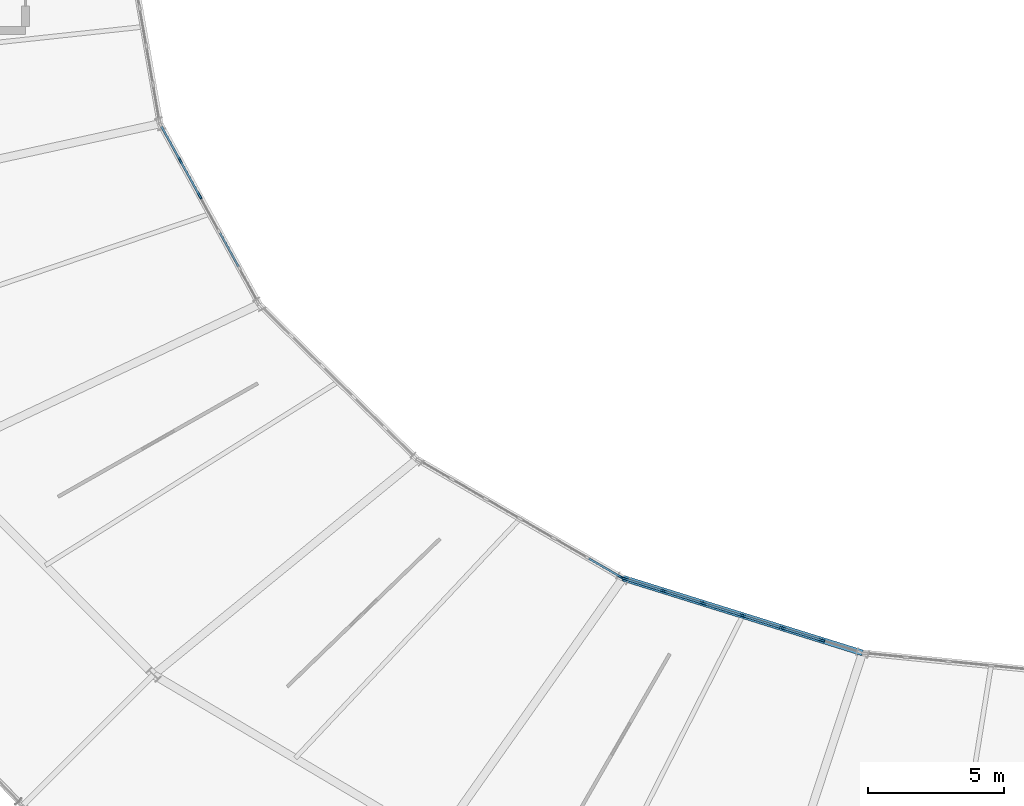
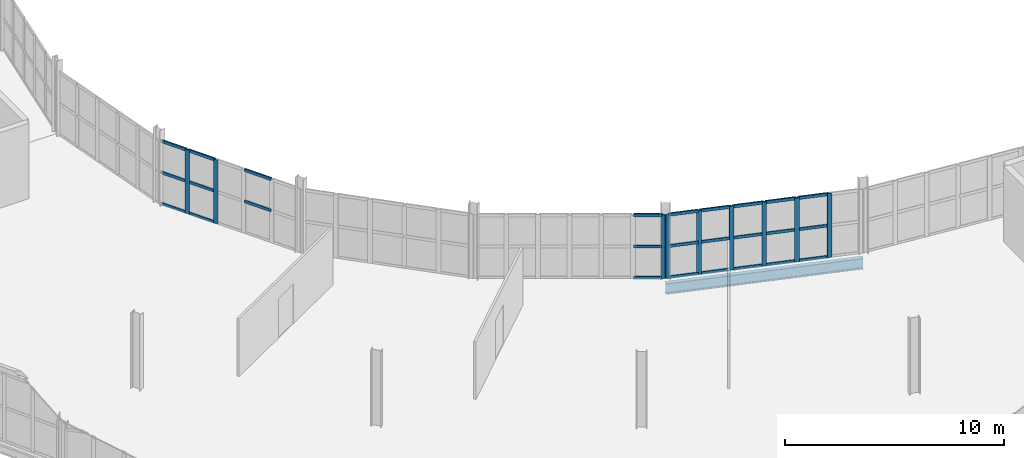
# One storey, part 62 of 161: 35 members, 1 beam, 3 elements without a shape of their own.
"""IFC4 building model written with IfcOpenShell, lengths in metres."""

from ifc_helpers import new_model, si_unit, direction, frame, origin, origin_2d, place, context, subcontext, project, spatial, rectangle, i_section, extrude, material, material_profile, profile_set, type_object, element, aggregate, save


model = new_model("IFC4")

# Units and contexts
model_context = context("Model", 3, precision=1e-05, world=origin(), true_north=direction((0.0, 1.0)))
body_context = subcontext(model_context, "Body", "Model", "MODEL_VIEW")
ifc_project = project(units=[si_unit("LENGTHUNIT", "METRE"), si_unit("AREAUNIT", "SQUARE_METRE"), si_unit("VOLUMEUNIT", "CUBIC_METRE"), si_unit("PLANEANGLEUNIT", "RADIAN"), si_unit("MASSUNIT", "GRAM", prefix="KILO")], contexts=[model_context])

# Site, building, storey
site_placement = place(None, origin())
site = spatial("IfcSite", under=ifc_project, at=site_placement, CompositionType="ELEMENT")
building_placement = place(site_placement, origin())
building = spatial("IfcBuilding", under=site, at=building_placement, Name="Kildeholm Park Wholesale Market", CompositionType="ELEMENT")
storey_placement = place(building_placement, frame((0.0, 0.0, 5.39990234375)))
storey = spatial("IfcBuildingStorey", under=building, at=storey_placement, Name="L01", CompositionType="ELEMENT", Elevation=5.39990234375)

# Beam
ifc_material_1 = material(Name="Steel S355", Category="steel")
ifc_material_profile_1 = material_profile(ifc_material_1, i_section(OverallWidth=0.219970703125, OverallDepth=0.60009765625, WebThickness=0.011962890625, FlangeThickness=0.01904296875, FilletRadius=0.02392578125, at=origin_2d()), Name="IPE 600")
ifc_profile_set_1 = profile_set([ifc_material_profile_1], Name="Steel S355")
beam_type = type_object("IfcBeamType", Name="Beam B-P04 IPE 600", PredefinedType="BEAM", material=ifc_profile_set_1)
beam_placement = place(storey_placement, frame((80.75, 65.68408203125, -0.5498046875), z_axis=(0.9545990852, -0.297893582568, 0.0), x_axis=(0.297893582568, 0.9545990852, 0.0)))
element("IfcBeam", 1, at=beam_placement, inside=storey, type_object=beam_type, Name="Beam BM-V1-L01-CI-16 BM-0148", PredefinedType="BEAM", context=body_context, shape_type="SweptSolid", body=[
    extrude(i_section(OverallWidth=0.219970703125, OverallDepth=0.60009765625, WebThickness=0.011962890625, FlangeThickness=0.01904296875, FilletRadius=0.02392578125, at=origin_2d()), origin(), (0.0, 0.0, 1.0), 9.2216796875),
])

# Curtain wall, members
ifc_material_2 = material(Name="Anodised aluminium and low-E double-glazed glass", Category="aluminium")
curtain_wall_type = type_object("IfcCurtainWallType", Name="Market hall glazed arcade stick curtain wall CW-01", PredefinedType="NOTDEFINED", material=ifc_material_2)
curtain_wall_1_placement = place(storey_placement, origin())
curtain_wall_1 = element("IfcCurtainWall", 2, at=curtain_wall_1_placement, inside=storey, type_object=curtain_wall_type, Name="Curtain wall CW-V1-IN1-13 CW-0067", PredefinedType="NOTDEFINED")
ifc_material_3 = material(Name="Anodised aluminium", Category="aluminium")
ifc_material_profile_2 = material_profile(ifc_material_3, rectangle(XDim=0.074951171875, YDim=0.219970703125, at=origin_2d()), Name="CWM 75x220")
ifc_profile_set_2 = profile_set([ifc_material_profile_2], Name="Anodised aluminium")
member_type_1 = type_object("IfcMemberType", Name="Curtain-wall mullion CWM-2 CWM 75x220", PredefinedType="MULLION", material=ifc_profile_set_2)
member_1_placement = place(storey_placement, frame((64.478515625, 81.033447265625, 0.0), z_axis=(0.0, 0.0, 1.0), x_axis=(0.876308922506, 0.481749595055, 0.0)))
member_1 = element("IfcMember", 3, at=member_1_placement, type_object=member_type_1, Name="CW-01 mullion 2 MEM-2205", PredefinedType="MULLION", context=body_context, shape_type="SweptSolid", body=[
    extrude(rectangle(XDim=0.074951171875, YDim=0.219970703125, at=origin_2d()), origin(), (0.0, 0.0, 1.0), 3.550048828125),
])
member_2_placement = place(storey_placement, frame((65.2001953125, 79.720703125, 0.0), z_axis=(0.0, 0.0, 1.0), x_axis=(0.876308922506, 0.481749595055, 0.0)))
member_2 = element("IfcMember", 4, at=member_2_placement, type_object=member_type_1, Name="CW-01 mullion 3 MEM-2206", PredefinedType="MULLION", context=body_context, shape_type="SweptSolid", body=[
    extrude(rectangle(XDim=0.074951171875, YDim=0.219970703125, at=origin_2d()), origin(), (0.0, 0.0, 1.0), 3.550048828125),
])

# Curtain wall, member
curtain_wall_2_placement = place(storey_placement, origin())
curtain_wall_2 = element("IfcCurtainWall", 5, at=curtain_wall_2_placement, inside=storey, type_object=curtain_wall_type, Name="Curtain wall CW-V1-IN1-15 CW-0077", PredefinedType="NOTDEFINED")
member_3_placement = place(storey_placement, frame((80.679443359375, 65.7197265625, 0.0), z_axis=(0.0, 0.0, 1.0), x_axis=(0.500489412982, 0.865742656621, 0.0)))
member_3 = element("IfcMember", 6, at=member_3_placement, type_object=member_type_1, Name="CW-01 mullion 7 MEM-2476", PredefinedType="MULLION", context=body_context, shape_type="SweptSolid", body=[
    extrude(rectangle(XDim=0.074951171875, YDim=0.219970703125, at=origin_2d()), origin(), (0.0, 0.0, 1.0), 3.550048828125),
])

# Curtain wall, members
curtain_wall_3_placement = place(storey_placement, origin())
curtain_wall_3 = element("IfcCurtainWall", 7, at=curtain_wall_3_placement, inside=storey, type_object=curtain_wall_type, Name="Curtain wall CW-V1-IN1-16 CW-0082", PredefinedType="NOTDEFINED")
member_4_placement = place(storey_placement, frame((80.82177734375, 65.65771484375, 0.0), z_axis=(0.0, 0.0, 1.0), x_axis=(0.297957339818, 0.954579186683, 0.0)))
member_4 = element("IfcMember", 8, at=member_4_placement, type_object=member_type_1, Name="CW-01 mullion 1 MEM-2619", PredefinedType="MULLION", context=body_context, shape_type="SweptSolid", body=[
    extrude(rectangle(XDim=0.074951171875, YDim=0.219970703125, at=origin_2d()), origin(), (0.0, 0.0, 1.0), 3.550048828125),
])
member_5_placement = place(storey_placement, frame((82.240478515625, 65.215087890625, 0.0), z_axis=(0.0, 0.0, 1.0), x_axis=(0.297957339818, 0.954579186683, 0.0)))
member_5 = element("IfcMember", 9, at=member_5_placement, type_object=member_type_1, Name="CW-01 mullion 2 MEM-2620", PredefinedType="MULLION", context=body_context, shape_type="SweptSolid", body=[
    extrude(rectangle(XDim=0.074951171875, YDim=0.219970703125, at=origin_2d()), origin(), (0.0, 0.0, 1.0), 3.550048828125),
])
member_6_placement = place(storey_placement, frame((83.695068359375, 64.760986328125, 0.0), z_axis=(0.0, 0.0, 1.0), x_axis=(0.297957339818, 0.954579186683, 0.0)))
member_6 = element("IfcMember", 10, at=member_6_placement, type_object=member_type_1, Name="CW-01 mullion 3 MEM-2621", PredefinedType="MULLION", context=body_context, shape_type="SweptSolid", body=[
    extrude(rectangle(XDim=0.074951171875, YDim=0.219970703125, at=origin_2d()), origin(), (0.0, 0.0, 1.0), 3.550048828125),
])
member_7_placement = place(storey_placement, frame((85.1494140625, 64.306884765625, 0.0), z_axis=(0.0, 0.0, 1.0), x_axis=(0.297957339818, 0.954579186683, 0.0)))
member_7 = element("IfcMember", 11, at=member_7_placement, type_object=member_type_1, Name="CW-01 mullion 4 MEM-2622", PredefinedType="MULLION", context=body_context, shape_type="SweptSolid", body=[
    extrude(rectangle(XDim=0.074951171875, YDim=0.219970703125, at=origin_2d()), origin(), (0.0, 0.0, 1.0), 3.550048828125),
])
member_8_placement = place(storey_placement, frame((86.60400390625, 63.85302734375, 0.0), z_axis=(0.0, 0.0, 1.0), x_axis=(0.297957339818, 0.954579186683, 0.0)))
member_8 = element("IfcMember", 12, at=member_8_placement, type_object=member_type_1, Name="CW-01 mullion 5 MEM-2623", PredefinedType="MULLION", context=body_context, shape_type="SweptSolid", body=[
    extrude(rectangle(XDim=0.074951171875, YDim=0.219970703125, at=origin_2d()), origin(), (0.0, 0.0, 1.0), 3.550048828125),
])
member_9_placement = place(storey_placement, frame((88.05859375, 63.39892578125, 0.0), z_axis=(0.0, 0.0, 1.0), x_axis=(0.297957339818, 0.954579186683, 0.0)))
member_9 = element("IfcMember", 13, at=member_9_placement, type_object=member_type_1, Name="CW-01 mullion 6 MEM-2624", PredefinedType="MULLION", context=body_context, shape_type="SweptSolid", body=[
    extrude(rectangle(XDim=0.074951171875, YDim=0.219970703125, at=origin_2d()), origin(), (0.0, 0.0, 1.0), 3.550048828125),
])

# Member
ifc_material_profile_3 = material_profile(ifc_material_3, rectangle(XDim=0.074951171875, YDim=0.159912109375, at=origin_2d()), Name="CWT 75x160")
ifc_profile_set_3 = profile_set([ifc_material_profile_3], Name="Anodised aluminium")
member_type_2 = type_object("IfcMemberType", Name="Curtain-wall transom CWT-2 CWT 75x160", PredefinedType="USERDEFINED", material=ifc_profile_set_3)
member_10_placement = place(storey_placement, frame((63.793212890625, 82.2802734375, 0.03759765625), z_axis=(0.481627830616, -0.876375851319, 0.0), x_axis=(0.876375851319, 0.481627830616, 0.0)))
member_10 = element("IfcMember", 14, at=member_10_placement, type_object=member_type_2, Name="CW-01 transom 1.1 MEM-2210", ObjectType="TRANSOM", PredefinedType="USERDEFINED", context=body_context, shape_type="SweptSolid", body=[
    extrude(rectangle(XDim=0.074951171875, YDim=0.159912109375, at=origin_2d()), origin(), (0.0, 0.0, 1.0), 1.385498046875),
])

member_11_placement = place(storey_placement, frame((63.793212890625, 82.2802734375, 1.775146484375), z_axis=(0.481627830616, -0.876375851319, 0.0), x_axis=(0.876375851319, 0.481627830616, 0.0)))
member_11 = element("IfcMember", 15, at=member_11_placement, type_object=member_type_2, Name="CW-01 transom 1.2 MEM-2211", ObjectType="TRANSOM", PredefinedType="USERDEFINED", context=body_context, shape_type="SweptSolid", body=[
    extrude(rectangle(XDim=0.074951171875, YDim=0.159912109375, at=origin_2d()), origin(), (0.0, 0.0, 1.0), 1.385498046875),
])

member_12_placement = place(storey_placement, frame((63.793212890625, 82.2802734375, 3.5126953125), z_axis=(0.481627830616, -0.876375851319, 0.0), x_axis=(0.876375851319, 0.481627830616, 0.0)))
member_12 = element("IfcMember", 16, at=member_12_placement, type_object=member_type_2, Name="CW-01 transom 1.3 MEM-2212", ObjectType="TRANSOM", PredefinedType="USERDEFINED", context=body_context, shape_type="SweptSolid", body=[
    extrude(rectangle(XDim=0.074951171875, YDim=0.159912109375, at=origin_2d()), origin(), (0.0, 0.0, 1.0), 1.385498046875),
])

member_13_placement = place(storey_placement, frame((64.49658203125, 81.00048828125, 0.03759765625), z_axis=(0.481806771889, -0.876277487193, 0.0), x_axis=(0.876277487193, 0.481806771889, 0.0)))
member_13 = element("IfcMember", 17, at=member_13_placement, type_object=member_type_2, Name="CW-01 transom 2.1 MEM-2213", ObjectType="TRANSOM", PredefinedType="USERDEFINED", context=body_context, shape_type="SweptSolid", body=[
    extrude(rectangle(XDim=0.074951171875, YDim=0.159912109375, at=origin_2d()), origin(), (0.0, 0.0, 1.0), 1.4228515625),
])

member_14_placement = place(storey_placement, frame((64.49658203125, 81.00048828125, 1.775146484375), z_axis=(0.481806771889, -0.876277487193, 0.0), x_axis=(0.876277487193, 0.481806771889, 0.0)))
member_14 = element("IfcMember", 18, at=member_14_placement, type_object=member_type_2, Name="CW-01 transom 2.2 MEM-2214", ObjectType="TRANSOM", PredefinedType="USERDEFINED", context=body_context, shape_type="SweptSolid", body=[
    extrude(rectangle(XDim=0.074951171875, YDim=0.159912109375, at=origin_2d()), origin(), (0.0, 0.0, 1.0), 1.4228515625),
])

member_15_placement = place(storey_placement, frame((64.49658203125, 81.00048828125, 3.5126953125), z_axis=(0.481806771889, -0.876277487193, 0.0), x_axis=(0.876277487193, 0.481806771889, 0.0)))
member_15 = element("IfcMember", 19, at=member_15_placement, type_object=member_type_2, Name="CW-01 transom 2.3 MEM-2215", ObjectType="TRANSOM", PredefinedType="USERDEFINED", context=body_context, shape_type="SweptSolid", body=[
    extrude(rectangle(XDim=0.074951171875, YDim=0.159912109375, at=origin_2d()), origin(), (0.0, 0.0, 1.0), 1.4228515625),
])

member_16_placement = place(storey_placement, frame((65.93994140625, 78.375244140625, 1.775146484375), z_axis=(0.481675002978, -0.876349925262, 0.0), x_axis=(0.876349925262, 0.481675002978, 0.0)))
member_16 = element("IfcMember", 20, at=member_16_placement, type_object=member_type_2, Name="CW-01 transom 4.2 MEM-2220", ObjectType="TRANSOM", PredefinedType="USERDEFINED", context=body_context, shape_type="SweptSolid", body=[
    extrude(rectangle(XDim=0.074951171875, YDim=0.159912109375, at=origin_2d()), origin(), (0.0, 0.0, 1.0), 1.4228515625),
])

member_17_placement = place(storey_placement, frame((65.93994140625, 78.375244140625, 3.5126953125), z_axis=(0.481675002978, -0.876349925262, 0.0), x_axis=(0.876349925262, 0.481675002978, 0.0)))
member_17 = element("IfcMember", 21, at=member_17_placement, type_object=member_type_2, Name="CW-01 transom 4.3 MEM-2221", ObjectType="TRANSOM", PredefinedType="USERDEFINED", context=body_context, shape_type="SweptSolid", body=[
    extrude(rectangle(XDim=0.074951171875, YDim=0.159912109375, at=origin_2d()), origin(), (0.0, 0.0, 1.0), 1.4228515625),
])

aggregate(curtain_wall_1, [member_1, member_2, member_10, member_11, member_12, member_13, member_14, member_15, member_16, member_17])

member_18_placement = place(storey_placement, frame((79.49609375, 66.40380859375, 0.03759765625), z_axis=(0.865757211821, -0.500464234666, 0.0), x_axis=(0.500464234666, 0.865757211821, 0.0)))
member_18 = element("IfcMember", 22, at=member_18_placement, type_object=member_type_2, Name="CW-01 transom 6.1 MEM-2492", ObjectType="TRANSOM", PredefinedType="USERDEFINED", context=body_context, shape_type="SweptSolid", body=[
    extrude(rectangle(XDim=0.074951171875, YDim=0.159912109375, at=origin_2d()), origin(), (0.0, 0.0, 1.0), 1.329345703125),
])

member_19_placement = place(storey_placement, frame((79.49609375, 66.40380859375, 1.775146484375), z_axis=(0.865757211821, -0.500464234666, 0.0), x_axis=(0.500464234666, 0.865757211821, 0.0)))
member_19 = element("IfcMember", 23, at=member_19_placement, type_object=member_type_2, Name="CW-01 transom 6.2 MEM-2493", ObjectType="TRANSOM", PredefinedType="USERDEFINED", context=body_context, shape_type="SweptSolid", body=[
    extrude(rectangle(XDim=0.074951171875, YDim=0.159912109375, at=origin_2d()), origin(), (0.0, 0.0, 1.0), 1.329345703125),
])

member_20_placement = place(storey_placement, frame((79.49609375, 66.40380859375, 3.5126953125), z_axis=(0.865757211821, -0.500464234666, 0.0), x_axis=(0.500464234666, 0.865757211821, 0.0)))
member_20 = element("IfcMember", 24, at=member_20_placement, type_object=member_type_2, Name="CW-01 transom 6.3 MEM-2494", ObjectType="TRANSOM", PredefinedType="USERDEFINED", context=body_context, shape_type="SweptSolid", body=[
    extrude(rectangle(XDim=0.074951171875, YDim=0.159912109375, at=origin_2d()), origin(), (0.0, 0.0, 1.0), 1.329345703125),
])

aggregate(curtain_wall_2, [member_3, member_18, member_19, member_20])

member_21_placement = place(storey_placement, frame((80.857666015625, 65.646728515625, 0.03759765625), z_axis=(0.954532299309, -0.298107513451, 0.0), x_axis=(0.298107513451, 0.954532299309, 0.0)))
member_21 = element("IfcMember", 25, at=member_21_placement, type_object=member_type_2, Name="CW-01 transom 1.1 MEM-2626", ObjectType="TRANSOM", PredefinedType="USERDEFINED", context=body_context, shape_type="SweptSolid", body=[
    extrude(rectangle(XDim=0.074951171875, YDim=0.159912109375, at=origin_2d()), origin(), (0.0, 0.0, 1.0), 1.4111328125),
])

member_22_placement = place(storey_placement, frame((80.857666015625, 65.646728515625, 1.775146484375), z_axis=(0.954532299309, -0.298107513451, 0.0), x_axis=(0.298107513451, 0.954532299309, 0.0)))
member_22 = element("IfcMember", 26, at=member_22_placement, type_object=member_type_2, Name="CW-01 transom 1.2 MEM-2627", ObjectType="TRANSOM", PredefinedType="USERDEFINED", context=body_context, shape_type="SweptSolid", body=[
    extrude(rectangle(XDim=0.074951171875, YDim=0.159912109375, at=origin_2d()), origin(), (0.0, 0.0, 1.0), 1.4111328125),
])

member_23_placement = place(storey_placement, frame((80.857666015625, 65.646728515625, 3.5126953125), z_axis=(0.954532299309, -0.298107513451, 0.0), x_axis=(0.298107513451, 0.954532299309, 0.0)))
member_23 = element("IfcMember", 27, at=member_23_placement, type_object=member_type_2, Name="CW-01 transom 1.3 MEM-2628", ObjectType="TRANSOM", PredefinedType="USERDEFINED", context=body_context, shape_type="SweptSolid", body=[
    extrude(rectangle(XDim=0.074951171875, YDim=0.159912109375, at=origin_2d()), origin(), (0.0, 0.0, 1.0), 1.4111328125),
])

member_24_placement = place(storey_placement, frame((82.2763671875, 65.203857421875, 0.03759765625), z_axis=(0.954575890989, -0.297967898176, 0.0), x_axis=(0.297967898176, 0.954575890989, 0.0)))
member_24 = element("IfcMember", 28, at=member_24_placement, type_object=member_type_2, Name="CW-01 transom 2.1 MEM-2629", ObjectType="TRANSOM", PredefinedType="USERDEFINED", context=body_context, shape_type="SweptSolid", body=[
    extrude(rectangle(XDim=0.074951171875, YDim=0.159912109375, at=origin_2d()), origin(), (0.0, 0.0, 1.0), 1.44873046875),
])

member_25_placement = place(storey_placement, frame((82.2763671875, 65.203857421875, 1.775146484375), z_axis=(0.954575890989, -0.297967898176, 0.0), x_axis=(0.297967898176, 0.954575890989, 0.0)))
member_25 = element("IfcMember", 29, at=member_25_placement, type_object=member_type_2, Name="CW-01 transom 2.2 MEM-2630", ObjectType="TRANSOM", PredefinedType="USERDEFINED", context=body_context, shape_type="SweptSolid", body=[
    extrude(rectangle(XDim=0.074951171875, YDim=0.159912109375, at=origin_2d()), origin(), (0.0, 0.0, 1.0), 1.44873046875),
])

member_26_placement = place(storey_placement, frame((82.2763671875, 65.203857421875, 3.5126953125), z_axis=(0.954575890989, -0.297967898176, 0.0), x_axis=(0.297967898176, 0.954575890989, 0.0)))
member_26 = element("IfcMember", 30, at=member_26_placement, type_object=member_type_2, Name="CW-01 transom 2.3 MEM-2631", ObjectType="TRANSOM", PredefinedType="USERDEFINED", context=body_context, shape_type="SweptSolid", body=[
    extrude(rectangle(XDim=0.074951171875, YDim=0.159912109375, at=origin_2d()), origin(), (0.0, 0.0, 1.0), 1.44873046875),
])

member_27_placement = place(storey_placement, frame((83.730712890625, 64.749755859375, 0.03759765625), z_axis=(0.954590850637, -0.297919968919, 0.0), x_axis=(0.297919968919, 0.954590850637, 0.0)))
member_27 = element("IfcMember", 31, at=member_27_placement, type_object=member_type_2, Name="CW-01 transom 3.1 MEM-2632", ObjectType="TRANSOM", PredefinedType="USERDEFINED", context=body_context, shape_type="SweptSolid", body=[
    extrude(rectangle(XDim=0.074951171875, YDim=0.159912109375, at=origin_2d()), origin(), (0.0, 0.0, 1.0), 1.44873046875),
])

member_28_placement = place(storey_placement, frame((83.730712890625, 64.749755859375, 1.775146484375), z_axis=(0.954590850637, -0.297919968919, 0.0), x_axis=(0.297919968919, 0.954590850637, 0.0)))
member_28 = element("IfcMember", 32, at=member_28_placement, type_object=member_type_2, Name="CW-01 transom 3.2 MEM-2633", ObjectType="TRANSOM", PredefinedType="USERDEFINED", context=body_context, shape_type="SweptSolid", body=[
    extrude(rectangle(XDim=0.074951171875, YDim=0.159912109375, at=origin_2d()), origin(), (0.0, 0.0, 1.0), 1.44873046875),
])

member_29_placement = place(storey_placement, frame((83.730712890625, 64.749755859375, 3.5126953125), z_axis=(0.954590850637, -0.297919968919, 0.0), x_axis=(0.297919968919, 0.954590850637, 0.0)))
member_29 = element("IfcMember", 33, at=member_29_placement, type_object=member_type_2, Name="CW-01 transom 3.3 MEM-2634", ObjectType="TRANSOM", PredefinedType="USERDEFINED", context=body_context, shape_type="SweptSolid", body=[
    extrude(rectangle(XDim=0.074951171875, YDim=0.159912109375, at=origin_2d()), origin(), (0.0, 0.0, 1.0), 1.44873046875),
])

member_30_placement = place(storey_placement, frame((85.185302734375, 64.2958984375, 0.03759765625), z_axis=(0.954575890989, -0.297967898176, 0.0), x_axis=(0.297967898176, 0.954575890989, 0.0)))
member_30 = element("IfcMember", 34, at=member_30_placement, type_object=member_type_2, Name="CW-01 transom 4.1 MEM-2635", ObjectType="TRANSOM", PredefinedType="USERDEFINED", context=body_context, shape_type="SweptSolid", body=[
    extrude(rectangle(XDim=0.074951171875, YDim=0.159912109375, at=origin_2d()), origin(), (0.0, 0.0, 1.0), 1.44873046875),
])

member_31_placement = place(storey_placement, frame((85.185302734375, 64.2958984375, 1.775146484375), z_axis=(0.954575890989, -0.297967898176, 0.0), x_axis=(0.297967898176, 0.954575890989, 0.0)))
member_31 = element("IfcMember", 35, at=member_31_placement, type_object=member_type_2, Name="CW-01 transom 4.2 MEM-2636", ObjectType="TRANSOM", PredefinedType="USERDEFINED", context=body_context, shape_type="SweptSolid", body=[
    extrude(rectangle(XDim=0.074951171875, YDim=0.159912109375, at=origin_2d()), origin(), (0.0, 0.0, 1.0), 1.44873046875),
])

member_32_placement = place(storey_placement, frame((85.185302734375, 64.2958984375, 3.5126953125), z_axis=(0.954575890989, -0.297967898176, 0.0), x_axis=(0.297967898176, 0.954575890989, 0.0)))
member_32 = element("IfcMember", 36, at=member_32_placement, type_object=member_type_2, Name="CW-01 transom 4.3 MEM-2637", ObjectType="TRANSOM", PredefinedType="USERDEFINED", context=body_context, shape_type="SweptSolid", body=[
    extrude(rectangle(XDim=0.074951171875, YDim=0.159912109375, at=origin_2d()), origin(), (0.0, 0.0, 1.0), 1.44873046875),
])

member_33_placement = place(storey_placement, frame((86.639892578125, 63.841796875, 0.03759765625), z_axis=(0.954575890989, -0.297967898176, 0.0), x_axis=(0.297967898176, 0.954575890989, 0.0)))
member_33 = element("IfcMember", 37, at=member_33_placement, type_object=member_type_2, Name="CW-01 transom 5.1 MEM-2638", ObjectType="TRANSOM", PredefinedType="USERDEFINED", context=body_context, shape_type="SweptSolid", body=[
    extrude(rectangle(XDim=0.074951171875, YDim=0.159912109375, at=origin_2d()), origin(), (0.0, 0.0, 1.0), 1.44873046875),
])

member_34_placement = place(storey_placement, frame((86.639892578125, 63.841796875, 1.775146484375), z_axis=(0.954575890989, -0.297967898176, 0.0), x_axis=(0.297967898176, 0.954575890989, 0.0)))
member_34 = element("IfcMember", 38, at=member_34_placement, type_object=member_type_2, Name="CW-01 transom 5.2 MEM-2639", ObjectType="TRANSOM", PredefinedType="USERDEFINED", context=body_context, shape_type="SweptSolid", body=[
    extrude(rectangle(XDim=0.074951171875, YDim=0.159912109375, at=origin_2d()), origin(), (0.0, 0.0, 1.0), 1.44873046875),
])

member_35_placement = place(storey_placement, frame((86.639892578125, 63.841796875, 3.5126953125), z_axis=(0.954575890989, -0.297967898176, 0.0), x_axis=(0.297967898176, 0.954575890989, 0.0)))
member_35 = element("IfcMember", 39, at=member_35_placement, type_object=member_type_2, Name="CW-01 transom 5.3 MEM-2640", ObjectType="TRANSOM", PredefinedType="USERDEFINED", context=body_context, shape_type="SweptSolid", body=[
    extrude(rectangle(XDim=0.074951171875, YDim=0.159912109375, at=origin_2d()), origin(), (0.0, 0.0, 1.0), 1.44873046875),
])

aggregate(curtain_wall_3, [member_4, member_5, member_6, member_7, member_8, member_9, member_21, member_22, member_23, member_24, member_25, member_26, member_27, member_28, member_29, member_30, member_31, member_32, member_33, member_34, member_35])

save(model, "model.ifc")
